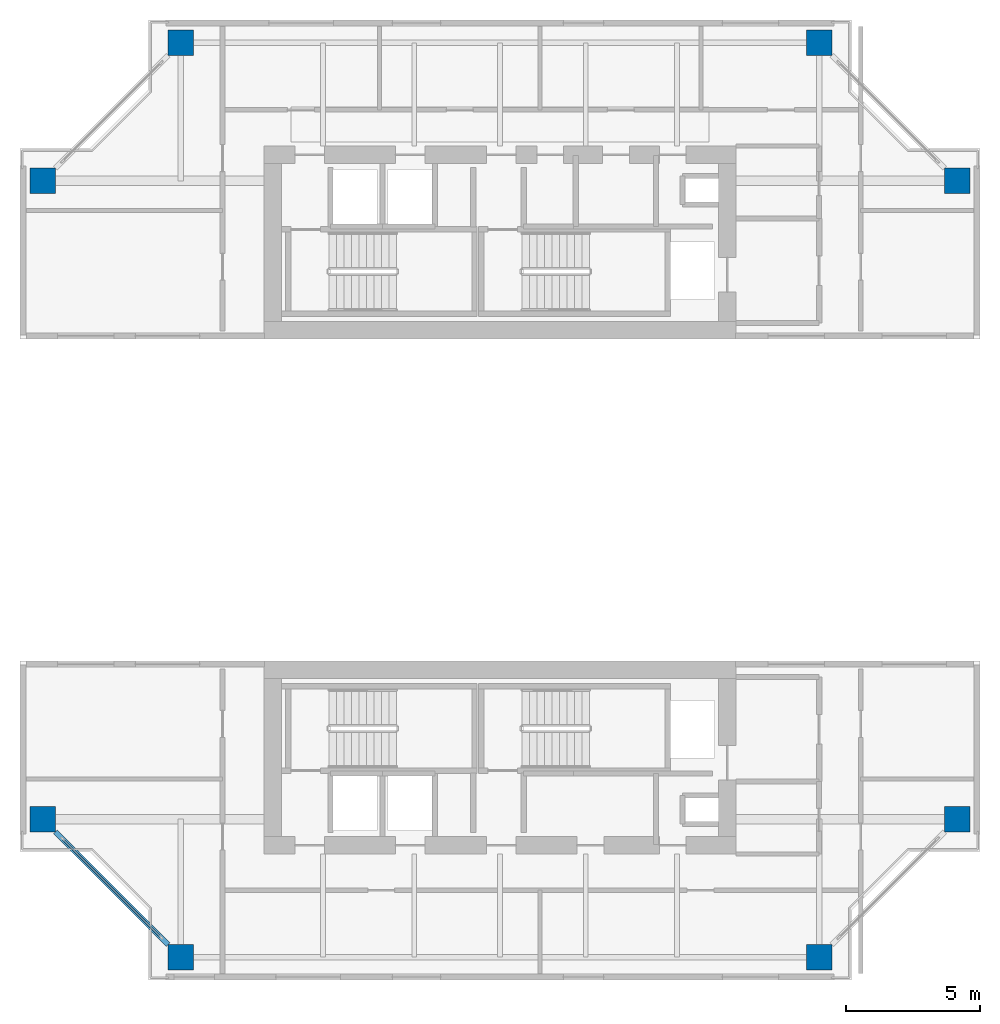
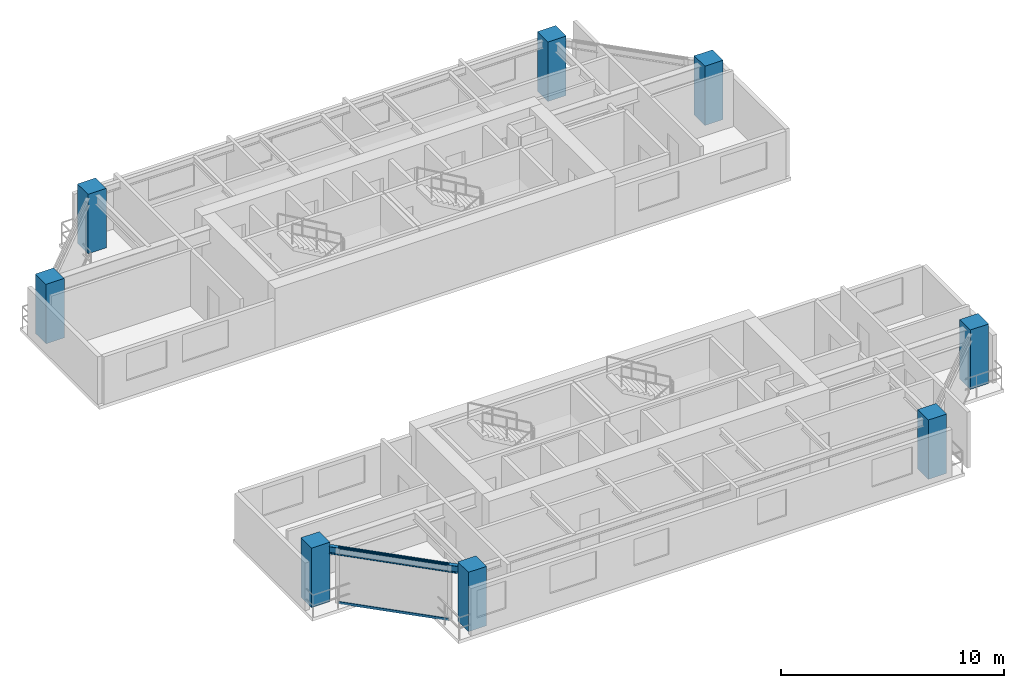
# One storey, part 1 of 12: 8 columns, 2 members, 1 beam, 1 element without a shape of its own.
"""IFC4 building model written with IfcOpenShell, lengths in metres."""

from ifc_helpers import new_model, si_unit, direction, frame, origin, origin_2d, place, context, subcontext, project, spatial, rectangle, i_section, extrude, source, transform, mapped, material, layer, layer_set, material_profile, profile_set, type_object, element, aggregate, save


model = new_model("IFC4")

# Units and contexts
model_context = context("Model", 3, precision=1e-05, world=origin(), true_north=direction((0.0, 1.0)))
body_context = subcontext(model_context, "Body", "Model", "MODEL_VIEW")
ifc_project = project(units=[si_unit("LENGTHUNIT", "METRE"), si_unit("AREAUNIT", "SQUARE_METRE"), si_unit("VOLUMEUNIT", "CUBIC_METRE"), si_unit("PLANEANGLEUNIT", "RADIAN"), si_unit("MASSUNIT", "GRAM", prefix="KILO"), si_unit("THERMODYNAMICTEMPERATUREUNIT", "KELVIN"), si_unit("POWERUNIT", "WATT")], contexts=[model_context])

# Site, building, storey
site_placement = place(None, origin())
site = spatial("IfcSite", under=ifc_project, at=site_placement, CompositionType="ELEMENT")
building_placement = place(site_placement, origin())
building = spatial("IfcBuilding", under=site, at=building_placement, Name="Qiaomeng Ring Towers", CompositionType="ELEMENT")
storey_placement = place(building_placement, frame((0.0, 0.0, 166.5)))
storey = spatial("IfcBuildingStorey", under=building, at=storey_placement, Name="L48", CompositionType="ELEMENT", Elevation=166.5)

# Columns
ifc_material_1 = material(Name="Concrete C50", Category="concrete")
ifc_material_profile_1 = material_profile(ifc_material_1, rectangle(XDim=0.949951171875, YDim=0.949951171875, at=origin_2d()), Name="RC COL 950x950")
ifc_profile_set_1 = profile_set([ifc_material_profile_1], Name="Concrete C50")
column_type = type_object("IfcColumnType", Name="STR-COL-950-C50", PredefinedType="COLUMN", material=ifc_profile_set_1)
shared_shape_1 = source(origin(), body_context, "Body", "SweptSolid", [
    extrude(rectangle(XDim=0.949951171875, YDim=0.949951171875, at=origin_2d()), origin(), (0.0, 0.0, 1.0), 3.25),
])
for number, where, z_axis, x_axis, name in (
    (1, (7.10009765625, 5.949951171875, 0.0), (0.0, 0.0, 1.0), (1.0, 0.0, 0.0), "L48 column STR-COL-L48-T1-S1"),
    (2, (30.89990234375, 5.949951171875, 0.0), (0.0, 0.0, 1.0), (1.0, 0.0, 0.0), "L48 column STR-COL-L48-T1-S2"),
    (3, (36.050048828125, 11.10009765625, 0.0), (0.0, 0.0, 1.0), (1.0, 0.0, 0.0), "L48 column STR-COL-L48-T1-E1"),
    (4, (36.050048828125, 34.89990234375, 0.0), (0.0, 0.0, 1.0), (1.0, 0.0, 0.0), "L48 column STR-COL-L48-T1-E4"),
    (5, (30.89990234375, 40.050048828125, 0.0), (0.0, 0.0, 1.0), (1.0, 0.0, 0.0), "L48 column STR-COL-L48-T1-N2"),
    (6, (7.10009765625, 40.050048828125, 0.0), (0.0, 0.0, 1.0), (1.0, 0.0, 0.0), "L48 column STR-COL-L48-T1-N1"),
    (7, (1.949951171875, 34.89990234375, 0.0), (0.0, 0.0, 1.0), (1.0, 0.0, 0.0), "L48 column STR-COL-L48-T1-W4"),
    (8, (1.949951171875, 11.10009765625, 0.0), (0.0, 0.0, 1.0), (1.0, 0.0, 0.0), "L48 column STR-COL-L48-T1-W1"),
):
    element("IfcColumn", number, at=place(storey_placement, frame(where, z_axis=z_axis, x_axis=x_axis)), inside=storey, type_object=column_type, Name=name, PredefinedType="COLUMN", context=body_context, shape_type="MappedRepresentation", body=[
        mapped(shared_shape_1, transform((0.0, 0.0, 0.0), x_axis=(1.0, 0.0, 0.0), y_axis=(0.0, 1.0, 0.0), z_axis=(0.0, 0.0, 1.0), scale=1.0)),
    ])

# Beam
ifc_material_2 = material(Name="Steel Q355B", Category="steel")
ifc_material_profile_2 = material_profile(ifc_material_2, i_section(OverallWidth=0.199951171875, OverallDepth=0.39990234375, WebThickness=0.008056640625, FlangeThickness=0.012939453125, FilletRadius=0.01611328125, at=origin_2d()), Name="HN 400x200x8x13")
ifc_profile_set_2 = profile_set([ifc_material_profile_2], Name="Steel Q355B")
beam_type = type_object("IfcBeamType", Name="STR-BM-HN400", PredefinedType="SPANDREL", material=ifc_profile_set_2)
shared_shape_2 = source(origin(), body_context, "Body", "SweptSolid", [
    extrude(i_section(OverallWidth=0.199951171875, OverallDepth=0.39990234375, WebThickness=0.008056640625, FlangeThickness=0.012939453125, FilletRadius=0.01611328125, at=origin_2d()), origin(), (0.0, 0.0, 1.0), 5.941650390625),
])
beam_placement = place(storey_placement, frame((2.42431640625, 10.625732421875, 2.8701171875), z_axis=(0.707106781187, -0.707106781187, 0.0), x_axis=(0.707106781187, 0.707106781187, 0.0)))
element("IfcBeam", 9, at=beam_placement, inside=storey, type_object=beam_type, Name="L48 beam STR-SP-L48-T1-W1-S1", PredefinedType="SPANDREL", context=body_context, shape_type="MappedRepresentation", body=[
    mapped(shared_shape_2, transform((0.0, 0.0, 0.0), x_axis=(1.0, 0.0, 0.0), y_axis=(0.0, 1.0, 0.0), z_axis=(0.0, 0.0, 1.0), scale=1.0)),
])

# Curtain wall, members
ifc_material_3 = material(Name="Fluorocarbon dark-grey aluminium", Category="aluminium")
ifc_layer = layer(ifc_material_3, 0.14990234375, Name="Fluorocarbon dark-grey aluminium")
ifc_layer_set = layer_set([ifc_layer], Name="Fluorocarbon dark-grey aluminium")
curtain_wall_type = type_object("IfcCurtainWallType", Name="ARC-CW-3", PredefinedType="NOTDEFINED", material=ifc_layer_set)
curtain_wall_placement = place(storey_placement, origin())
curtain_wall = element("IfcCurtainWall", 10, at=curtain_wall_placement, inside=storey, type_object=curtain_wall_type, Name="L48 Curtain Wall CW3", PredefinedType="NOTDEFINED")
ifc_material_profile_3 = material_profile(ifc_material_3, rectangle(XDim=0.06494140625, YDim=0.1298828125, at=origin_2d()), Name="ALU TRAN 65x130")
ifc_profile_set_3 = profile_set([ifc_material_profile_3], Name="Fluorocarbon dark-grey aluminium")
member_type = type_object("IfcMemberType", Name="ARC-CWT-120", PredefinedType="USERDEFINED", material=ifc_profile_set_3)
shared_shape_3 = source(origin(), body_context, "Body", "SweptSolid", [
    extrude(rectangle(XDim=0.06494140625, YDim=0.1298828125, at=origin_2d()), origin(), (0.0, 0.0, 1.0), 5.12060546875),
])
member_1_placement = place(storey_placement, frame((2.714599609375, 10.33544921875, 0.032470703125), z_axis=(0.707106781187, -0.707106781187, 0.0), x_axis=(0.707106781187, 0.707106781187, 0.0)))
member_1 = element("IfcMember", 11, at=member_1_placement, type_object=member_type, Name="CW3 transom 1.1", ObjectType="TRANSOM", PredefinedType="USERDEFINED", context=body_context, shape_type="MappedRepresentation", body=[
    mapped(shared_shape_3, transform((0.0, 0.0, 0.0), x_axis=(1.0, 0.0, 0.0), y_axis=(0.0, 1.0, 0.0), z_axis=(0.0, 0.0, 1.0), scale=1.0)),
])
member_2_placement = place(storey_placement, frame((2.714599609375, 10.33544921875, 3.03759765625), z_axis=(0.707106781187, -0.707106781187, 0.0), x_axis=(0.707106781187, 0.707106781187, 0.0)))
member_2 = element("IfcMember", 12, at=member_2_placement, type_object=member_type, Name="CW3 transom 1.2", ObjectType="TRANSOM", PredefinedType="USERDEFINED", context=body_context, shape_type="MappedRepresentation", body=[
    mapped(shared_shape_3, transform((0.0, 0.0, 0.0), x_axis=(1.0, 0.0, 0.0), y_axis=(0.0, 1.0, 0.0), z_axis=(0.0, 0.0, 1.0), scale=1.0)),
])
aggregate(curtain_wall, [member_1, member_2])

save(model, "model.ifc")
